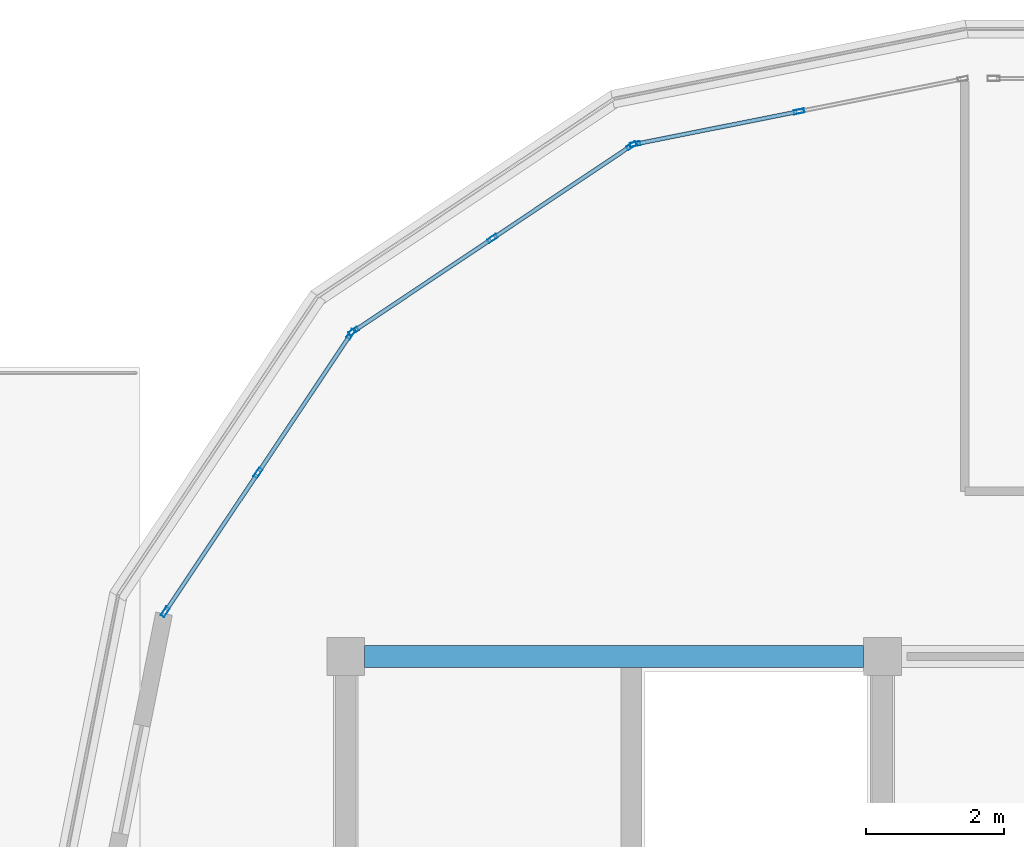
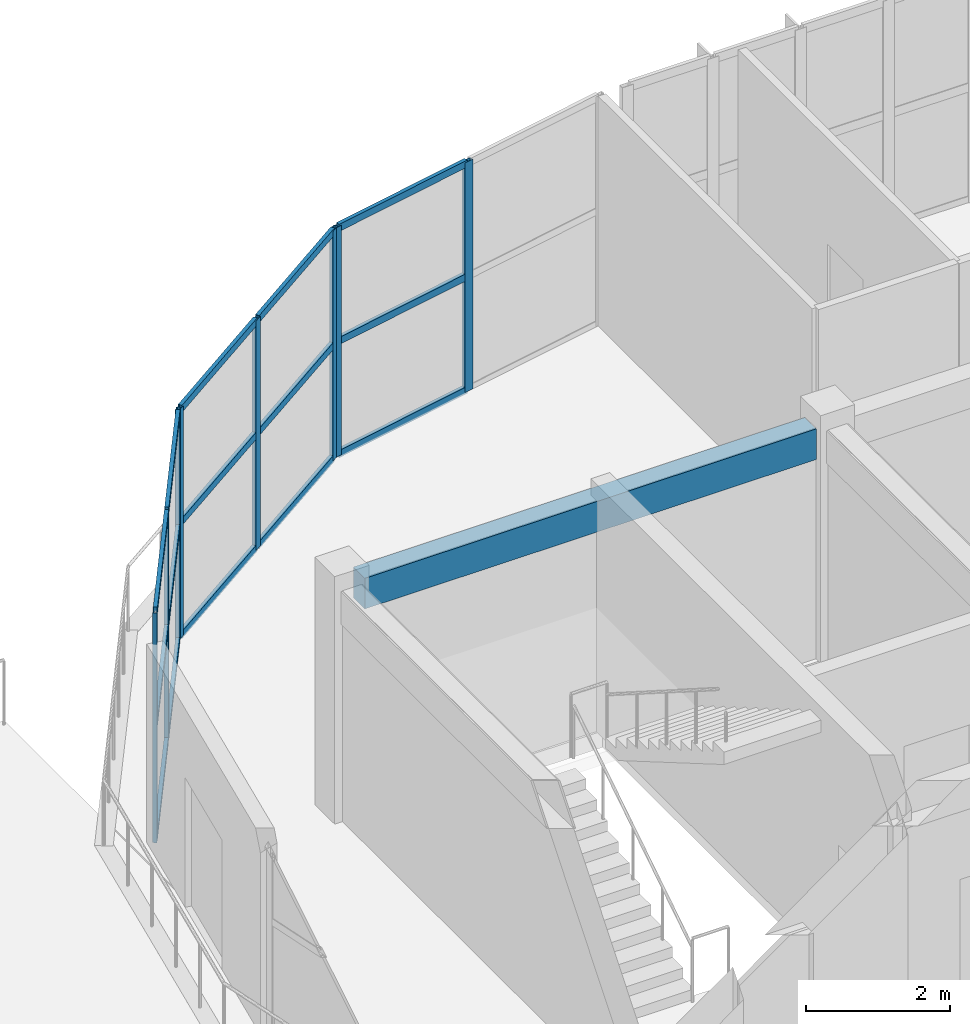
# One storey, part 7 of 33: 23 members, 1 beam, 3 elements without a shape of their own.
"""IFC4 building model written with IfcOpenShell, lengths in metres."""

import ifcopenshell
import ifcopenshell.guid

model = None  # the IFC model being written
_history = None  # IfcOwnerHistory: only IFC2X3 demands one
_inside = {}  # id of a spatial element -> (the spatial element, [elements in it])
_under = {}  # id of a project, library or spatial element -> (it, [spatial elements below it])
_declared = {}  # id of a project -> (the project, [libraries it declares])
_typed = {}  # id of a type object -> (the type object, [elements of that type])
_made_of = {}  # id of a material, layer set ... -> (it, [elements and type objects made of it])


def new_model(schema):
    """Start an empty IFC model of exactly this schema.

    Asked for "IFC4X3", IfcOpenShell would pick the latest addendum, in which some entities
    have other attributes; the version numbers below select the first issue.
    IFC2X3 requires an IfcOwnerHistory on every rooted entity: one is made here for all.
    """
    global model, _history
    if schema == "IFC4X3":
        model = ifcopenshell.file(schema_version=(4, 3, 0, 0))
    else:
        model = ifcopenshell.file(schema=schema)
    _inside.clear()
    _under.clear()
    _declared.clear()
    _typed.clear()
    _made_of.clear()
    _history = None
    if model.schema == "IFC2X3":
        org = make("IfcOrganization", Name="unknown")
        user = make(
            "IfcPersonAndOrganization",
            ThePerson=make("IfcPerson", FamilyName="unknown"),
            TheOrganization=org,
        )
        app = make(
            "IfcApplication",
            ApplicationDeveloper=org,
            Version="unknown",
            ApplicationFullName="unknown",
            ApplicationIdentifier="unknown",
        )
        _history = make(
            "IfcOwnerHistory",
            OwningUser=user,
            OwningApplication=app,
            ChangeAction="ADDED",
            CreationDate=0,
        )
    return model


def make(cls, **values):
    """One entity of the class cls with the attributes given. An attribute that is None is left unset."""
    return model.create_entity(
        cls, **{name: value for name, value in values.items() if value is not None}
    )


def rooted(cls, **values):
    """An entity with a GlobalId (a new one), such as an element, a storey or a relation."""
    return make(cls, GlobalId=ifcopenshell.guid.new(), OwnerHistory=_history, **values)


def si_unit(unit_type, name, prefix=None):
    """IfcSIUnit, for example si_unit("LENGTHUNIT", "METRE", prefix="MILLI")."""
    return make("IfcSIUnit", UnitType=unit_type, Prefix=prefix, Name=name)


def assignment(units):
    """IfcUnitAssignment: the units of a project."""
    return None if units is None else make("IfcUnitAssignment", Units=units)


def point(xyz):
    """IfcCartesianPoint."""
    return None if xyz is None else make("IfcCartesianPoint", Coordinates=xyz)


def direction(xyz):
    """IfcDirection."""
    return None if xyz is None else make("IfcDirection", DirectionRatios=xyz)


def frame(location, z_axis=None, x_axis=None):
    """IfcAxis2Placement3D, a coordinate frame: its origin and axes. An axis left out is left unset."""
    return make(
        "IfcAxis2Placement3D",
        Location=point(location),
        Axis=direction(z_axis),
        RefDirection=direction(x_axis),
    )


def frame_2d(location, x_axis=None):
    """IfcAxis2Placement2D, a coordinate frame in the plane: its origin and x axis."""
    return make(
        "IfcAxis2Placement2D", Location=point(location), RefDirection=direction(x_axis)
    )


def origin():
    """The frame at (0, 0, 0) with its axes left unset."""
    return frame((0.0, 0.0, 0.0))


def origin_2d():
    """The frame at (0, 0) in the plane with its x axis left unset."""
    return frame_2d((0.0, 0.0))


def place(relative_to, where):
    """IfcLocalPlacement: puts the frame where relative to a parent placement (None: the world)."""
    return make(
        "IfcLocalPlacement", PlacementRelTo=relative_to, RelativePlacement=where
    )


def context(
    kind, dimensions, precision=None, world=None, true_north=None, identifier=None
):
    """IfcGeometricRepresentationContext, for example the 3D "Model" context."""
    return make(
        "IfcGeometricRepresentationContext",
        ContextIdentifier=identifier,
        ContextType=kind,
        CoordinateSpaceDimension=dimensions,
        Precision=precision,
        WorldCoordinateSystem=world,
        TrueNorth=true_north,
    )


def subcontext(parent, identifier, kind, view, scale=None):
    """IfcGeometricRepresentationSubContext, for example "Body" below "Model"."""
    return make(
        "IfcGeometricRepresentationSubContext",
        ContextIdentifier=identifier,
        ContextType=kind,
        ParentContext=parent,
        TargetScale=scale,
        TargetView=view,
    )


def project(units=None, contexts=None):
    """IfcProject with its units and contexts."""
    return rooted(
        "IfcProject",
        Name="project",
        RepresentationContexts=contexts,
        UnitsInContext=assignment(units),
    )


def spatial(cls, under=None, at=None, **own):
    """A site, building, storey or space (cls), placed at a placement, below another one or the project."""
    s = rooted(cls, ObjectPlacement=at, **own)
    if under is not None:
        _under.setdefault(under.id(), (under, []))[1].append(s)
    return s


def profile(cls, at=None, kind="AREA", **sizes):
    """A parametric profile (cls). Its sizes go by their IFC names, for example OverallWidth=200.0."""
    return make(cls, ProfileType=kind, Position=at, **sizes)


def rectangle(**sizes):
    """IfcRectangleProfileDef."""
    return profile("IfcRectangleProfileDef", **sizes)


def hollow_rectangle(**sizes):
    """IfcRectangleHollowProfileDef."""
    return profile("IfcRectangleHollowProfileDef", **sizes)


def extrude(swept, where, along, depth):
    """IfcExtrudedAreaSolid: the profile swept, set in the frame where, extruded along a direction by depth."""
    return make(
        "IfcExtrudedAreaSolid",
        SweptArea=swept,
        Position=where,
        ExtrudedDirection=direction(along),
        Depth=depth,
    )


def shape(context_of_items, identifier, shape_type, items):
    """IfcShapeRepresentation: the items that make up one representation, for example the "Body"."""
    return make(
        "IfcShapeRepresentation",
        ContextOfItems=context_of_items,
        RepresentationIdentifier=identifier,
        RepresentationType=shape_type,
        Items=items,
    )


def material(Name=None, Category=None):
    """IfcMaterial."""
    return make("IfcMaterial", Name=Name, Category=Category)


def layer(
    of_material, thickness, ventilated=None, Name=None, Category=None, Priority=None
):
    """IfcMaterialLayer: one layer of a wall or slab, of a material (None: an air gap)."""
    return make(
        "IfcMaterialLayer",
        Material=of_material,
        LayerThickness=thickness,
        IsVentilated=ventilated,
        Name=Name,
        Category=Category,
        Priority=Priority,
    )


def layer_set(layers, Name=None):
    """IfcMaterialLayerSet."""
    return make("IfcMaterialLayerSet", MaterialLayers=layers, LayerSetName=Name)


def material_profile(
    of_material, cross_section, Name=None, Category=None, Priority=None
):
    """IfcMaterialProfile: a cross section and its material."""
    return make(
        "IfcMaterialProfile",
        Name=Name,
        Material=of_material,
        Profile=cross_section,
        Priority=Priority,
        Category=Category,
    )


def profile_set(profiles, Name=None, composite=None):
    """IfcMaterialProfileSet."""
    return make(
        "IfcMaterialProfileSet",
        Name=Name,
        MaterialProfiles=profiles,
        CompositeProfile=composite,
    )


def made_of(thing, what):
    """Note that an element or type object is made of a material, layer set ...; save() writes the relation."""
    if what is not None:
        _made_of.setdefault(what.id(), (what, []))[1].append(thing)
    return thing


def type_object(cls, material=None, **own):
    """A type object (cls), such as IfcWallType, which elements share."""
    return made_of(rooted(cls, **own), material)


def element(
    cls,
    number,
    at=None,
    inside=None,
    cuts=None,
    type_object=None,
    material=None,
    context=None,
    identifier="Body",
    shape_type=None,
    held_by="IfcProductDefinitionShape",
    body=None,
    shapes=None,
    **own,
):
    """One element of the class cls, such as IfcWall. Its Tag is "e" and its number.

    at: its placement. inside: the storey or other place that contains it. cuts: it is an
    opening in that element (IfcRelVoidsElement). A single representation is given by context,
    identifier, shape_type and body (its items); several are given by shapes. held_by: the class
    of the entity that holds the representations. save() writes the other relations.
    """
    e = rooted(cls, Tag="e%d" % number, ObjectPlacement=at, **own)
    if body is not None:
        shapes = [shape(context, identifier, shape_type, body)]
    if shapes is not None:
        e.Representation = make(held_by, Representations=shapes)
    if inside is not None:
        _inside.setdefault(inside.id(), (inside, []))[1].append(e)
    if cuts is not None:
        rooted(
            "IfcRelVoidsElement", RelatingBuildingElement=cuts, RelatedOpeningElement=e
        )
    if type_object is not None:
        _typed.setdefault(type_object.id(), (type_object, []))[1].append(e)
    return made_of(e, material)


def aggregate(whole, parts):
    """IfcRelAggregates: a whole, such as a stair, and the parts it consists of."""
    return rooted("IfcRelAggregates", RelatingObject=whole, RelatedObjects=parts)


def save(model, path):
    """Write the relations noted so far, then the file.

    IfcRelAggregates (storeys below a building ...), IfcRelContainedInSpatialStructure (elements
    in a storey), IfcRelDefinesByType, IfcRelAssociatesMaterial and IfcRelDeclares: one each for
    every whole, place, type object, material and project.
    """
    for whole, parts in _under.values():
        aggregate(whole, parts)
    for where, things in _inside.values():
        rooted(
            "IfcRelContainedInSpatialStructure",
            RelatedElements=things,
            RelatingStructure=where,
        )
    for kind, things in _typed.values():
        rooted("IfcRelDefinesByType", RelatedObjects=things, RelatingType=kind)
    for what, things in _made_of.values():
        rooted("IfcRelAssociatesMaterial", RelatedObjects=things, RelatingMaterial=what)
    for by, libraries in _declared.values():
        rooted("IfcRelDeclares", RelatingContext=by, RelatedDefinitions=libraries)
    model.write(path)


model = new_model("IFC4")

# Units and contexts
model_context = context("Model", 3, precision=1e-05, world=origin(), true_north=direction((0.0, 1.0)))
body_context = subcontext(model_context, "Body", "Model", "MODEL_VIEW")
ifc_project = project(units=[si_unit("LENGTHUNIT", "METRE"), si_unit("AREAUNIT", "SQUARE_METRE"), si_unit("VOLUMEUNIT", "CUBIC_METRE"), si_unit("PLANEANGLEUNIT", "RADIAN"), si_unit("MASSUNIT", "GRAM", prefix="KILO")], contexts=[model_context])

# Site, building, storey
site_placement = place(None, origin())
site = spatial("IfcSite", under=ifc_project, at=site_placement, CompositionType="ELEMENT")
building_placement = place(site_placement, origin())
building = spatial("IfcBuilding", under=site, at=building_placement, Name="Zizhar Promenade General Hospital", CompositionType="ELEMENT")
storey_placement = place(building_placement, frame((0.0, 0.0, 39.0)))
storey = spatial("IfcBuildingStorey", under=building, at=storey_placement, Name="L09", CompositionType="ELEMENT", Elevation=39.0)

# Beam
ifc_material_1 = material(Name="Concrete C35/45", Category="concrete")
ifc_material_profile_1 = material_profile(ifc_material_1, rectangle(XDim=0.320068359375, YDim=0.52001953125, at=origin_2d()))
ifc_profile_set_1 = profile_set([ifc_material_profile_1], Name="Concrete C35/45")
beam_type = type_object("IfcBeamType", Name="BM-RC-320x520", PredefinedType="LINTEL", material=ifc_profile_set_1)
beam_placement = place(storey_placement, frame((47.074951171875, 16.800048828125, 3.64990234375), z_axis=(1.0, 0.0, 0.0), x_axis=(0.0, 1.0, 0.0)))
element("IfcBeam", 1, at=beam_placement, inside=storey, type_object=beam_type, Name="Grid Beam X L09 (6-2)", PredefinedType="LINTEL", context=body_context, shape_type="SweptSolid", body=[
    extrude(rectangle(XDim=0.320068359375, YDim=0.52001953125, at=origin_2d()), origin(), (0.0, 0.0, 1.0), 7.25),
])

# Curtain wall, members
ifc_material_2 = material(Name="Anodised aluminium 6063-T6 and low-E glass", Category="aluminium")
ifc_layer = layer(ifc_material_2, 0.159912109375)
ifc_layer_set = layer_set([ifc_layer], Name="Anodised aluminium 6063-T6 and low-E glass")
curtain_wall_type = type_object("IfcCurtainWallType", Name="CW-WARD-ARC", PredefinedType="NOTDEFINED", material=ifc_layer_set)
curtain_wall_1_placement = place(storey_placement, origin())
curtain_wall_1 = element("IfcCurtainWall", 2, at=curtain_wall_1_placement, inside=storey, type_object=curtain_wall_type, Name="Ward Semicircular End Glazing L09-10", PredefinedType="NOTDEFINED")
ifc_material_3 = material(Name="Anodised aluminium 6063-T6", Category="aluminium")
ifc_material_profile_2 = material_profile(ifc_material_3, hollow_rectangle(XDim=0.06005859375, YDim=0.14990234375, WallThickness=0.00390625, at=origin_2d()))
ifc_profile_set_2 = profile_set([ifc_material_profile_2], Name="Anodised aluminium 6063-T6")
member_type_1 = type_object("IfcMemberType", Name="CWM-ALU-150x60", PredefinedType="MULLION", material=ifc_profile_set_2)
member_1_placement = place(storey_placement, frame((51.007568359375, 24.246826171875, 0.0), z_axis=(0.0, 0.0, 1.0), x_axis=(-0.195087259275, 0.980785889615, 0.0)))
member_1 = element("IfcMember", 3, at=member_1_placement, type_object=member_type_1, Name="CW-12 mullion 1", PredefinedType="MULLION", context=body_context, shape_type="SweptSolid", body=[
    extrude(hollow_rectangle(XDim=0.06005859375, YDim=0.14990234375, WallThickness=0.00390625, at=origin_2d()), origin(), (0.0, 0.0, 1.0), 3.89990234375),
])
member_2_placement = place(storey_placement, frame((53.38916015625, 24.720458984375, 0.0), z_axis=(0.0, 0.0, 1.0), x_axis=(-0.195087259275, 0.980785889615, 0.0)))
member_2 = element("IfcMember", 4, at=member_2_placement, type_object=member_type_1, Name="CW-12 mullion 2", PredefinedType="MULLION", context=body_context, shape_type="SweptSolid", body=[
    extrude(hollow_rectangle(XDim=0.06005859375, YDim=0.14990234375, WallThickness=0.00390625, at=origin_2d()), origin(), (0.0, 0.0, 1.0), 3.89990234375),
])

curtain_wall_2_placement = place(storey_placement, origin())
curtain_wall_2 = element("IfcCurtainWall", 5, at=curtain_wall_2_placement, inside=storey, type_object=curtain_wall_type, Name="Ward Semicircular End Glazing L09-11", PredefinedType="NOTDEFINED")
member_3_placement = place(storey_placement, frame((46.91552734375, 21.526123046875, 0.0), z_axis=(0.0, 0.0, 1.0), x_axis=(-0.555582352095, 0.831461514468, 0.0)))
member_3 = element("IfcMember", 6, at=member_3_placement, type_object=member_type_1, Name="CW-12 mullion 1", PredefinedType="MULLION", context=body_context, shape_type="SweptSolid", body=[
    extrude(hollow_rectangle(XDim=0.06005859375, YDim=0.14990234375, WallThickness=0.00390625, at=origin_2d()), origin(), (0.0, 0.0, 1.0), 3.89990234375),
])
member_4_placement = place(storey_placement, frame((48.934326171875, 22.875244140625, 0.0), z_axis=(0.0, 0.0, 1.0), x_axis=(-0.555582352095, 0.831461514468, 0.0)))
member_4 = element("IfcMember", 7, at=member_4_placement, type_object=member_type_1, Name="CW-12 mullion 2", PredefinedType="MULLION", context=body_context, shape_type="SweptSolid", body=[
    extrude(hollow_rectangle(XDim=0.06005859375, YDim=0.14990234375, WallThickness=0.00390625, at=origin_2d()), origin(), (0.0, 0.0, 1.0), 3.89990234375),
])
member_5_placement = place(storey_placement, frame((50.953369140625, 24.22412109375, 0.0), z_axis=(0.0, 0.0, 1.0), x_axis=(-0.555582352095, 0.831461514468, 0.0)))
member_5 = element("IfcMember", 8, at=member_5_placement, type_object=member_type_1, Name="CW-12 mullion 3", PredefinedType="MULLION", context=body_context, shape_type="SweptSolid", body=[
    extrude(hollow_rectangle(XDim=0.06005859375, YDim=0.14990234375, WallThickness=0.00390625, at=origin_2d()), origin(), (0.0, 0.0, 1.0), 3.89990234375),
])

curtain_wall_3_placement = place(storey_placement, origin())
curtain_wall_3 = element("IfcCurtainWall", 9, at=curtain_wall_3_placement, inside=storey, type_object=curtain_wall_type, Name="Ward Semicircular End Glazing L09-12", PredefinedType="NOTDEFINED")
member_6_placement = place(storey_placement, frame((44.17578125, 17.44677734375, 0.0), z_axis=(0.0, 0.0, 1.0), x_axis=(-0.831461514468, 0.555582352095, 0.0)))
member_6 = element("IfcMember", 10, at=member_6_placement, type_object=member_type_1, Name="CW-12 mullion 1", PredefinedType="MULLION", context=body_context, shape_type="SweptSolid", body=[
    extrude(hollow_rectangle(XDim=0.06005859375, YDim=0.14990234375, WallThickness=0.00390625, at=origin_2d()), origin(), (0.0, 0.0, 1.0), 3.89990234375),
])
member_7_placement = place(storey_placement, frame((45.52490234375, 19.465576171875, 0.0), z_axis=(0.0, 0.0, 1.0), x_axis=(-0.831461514468, 0.555582352095, 0.0)))
member_7 = element("IfcMember", 11, at=member_7_placement, type_object=member_type_1, Name="CW-12 mullion 2", PredefinedType="MULLION", context=body_context, shape_type="SweptSolid", body=[
    extrude(hollow_rectangle(XDim=0.06005859375, YDim=0.14990234375, WallThickness=0.00390625, at=origin_2d()), origin(), (0.0, 0.0, 1.0), 3.89990234375),
])
member_8_placement = place(storey_placement, frame((46.873779296875, 21.484619140625, 0.0), z_axis=(0.0, 0.0, 1.0), x_axis=(-0.831461514468, 0.555582352095, 0.0)))
member_8 = element("IfcMember", 12, at=member_8_placement, type_object=member_type_1, Name="CW-12 mullion 3", PredefinedType="MULLION", context=body_context, shape_type="SweptSolid", body=[
    extrude(hollow_rectangle(XDim=0.06005859375, YDim=0.14990234375, WallThickness=0.00390625, at=origin_2d()), origin(), (0.0, 0.0, 1.0), 3.89990234375),
])

# Member
ifc_material_4 = material(Name="Anodised aluminium 6063-T6", Category="aluminium")
ifc_material_profile_3 = material_profile(ifc_material_4, hollow_rectangle(XDim=0.06005859375, YDim=0.1201171875, WallThickness=0.00390625, at=origin_2d()))
ifc_profile_set_3 = profile_set([ifc_material_profile_3], Name="Anodised aluminium 6063-T6")
member_type_2 = type_object("IfcMemberType", Name="CWT-ALU-120x60", PredefinedType="USERDEFINED", material=ifc_profile_set_3)
member_9_placement = place(storey_placement, frame((51.037109375, 24.252685546875, 0.030029296875), z_axis=(0.980790278018, 0.195065195628, 0.0), x_axis=(-0.195065195628, 0.980790278018, 0.0)))
member_9 = element("IfcMember", 13, at=member_9_placement, type_object=member_type_2, Name="CW-12 transom 1.1", ObjectType="TRANSOM", PredefinedType="USERDEFINED", context=body_context, shape_type="SweptSolid", body=[
    extrude(hollow_rectangle(XDim=0.06005859375, YDim=0.1201171875, WallThickness=0.00390625, at=origin_2d()), origin(), (0.0, 0.0, 1.0), 2.367919921875),
])

member_10_placement = place(storey_placement, frame((51.037109375, 24.252685546875, 1.949951171875), z_axis=(0.980790278018, 0.195065195628, 0.0), x_axis=(-0.195065195628, 0.980790278018, 0.0)))
member_10 = element("IfcMember", 14, at=member_10_placement, type_object=member_type_2, Name="CW-12 transom 1.2", ObjectType="TRANSOM", PredefinedType="USERDEFINED", context=body_context, shape_type="SweptSolid", body=[
    extrude(hollow_rectangle(XDim=0.06005859375, YDim=0.1201171875, WallThickness=0.00390625, at=origin_2d()), origin(), (0.0, 0.0, 1.0), 2.367919921875),
])

member_11_placement = place(storey_placement, frame((51.037109375, 24.252685546875, 3.8701171875), z_axis=(0.980790278018, 0.195065195628, 0.0), x_axis=(-0.195065195628, 0.980790278018, 0.0)))
member_11 = element("IfcMember", 15, at=member_11_placement, type_object=member_type_2, Name="CW-12 transom 1.3", ObjectType="TRANSOM", PredefinedType="USERDEFINED", context=body_context, shape_type="SweptSolid", body=[
    extrude(hollow_rectangle(XDim=0.06005859375, YDim=0.1201171875, WallThickness=0.00390625, at=origin_2d()), origin(), (0.0, 0.0, 1.0), 2.367919921875),
])

aggregate(curtain_wall_1, [member_1, member_2, member_9, member_10, member_11])

member_12_placement = place(storey_placement, frame((46.9404296875, 21.542724609375, 0.030029296875), z_axis=(0.831415354375, 0.555651427164, 0.0), x_axis=(-0.555651427164, 0.831415354375, 0.0)))
member_12 = element("IfcMember", 16, at=member_12_placement, type_object=member_type_2, Name="CW-12 transom 1.1", ObjectType="TRANSOM", PredefinedType="USERDEFINED", context=body_context, shape_type="SweptSolid", body=[
    extrude(hollow_rectangle(XDim=0.06005859375, YDim=0.1201171875, WallThickness=0.00390625, at=origin_2d()), origin(), (0.0, 0.0, 1.0), 2.3681640625),
])

member_13_placement = place(storey_placement, frame((46.9404296875, 21.542724609375, 1.949951171875), z_axis=(0.831415354375, 0.555651427164, 0.0), x_axis=(-0.555651427164, 0.831415354375, 0.0)))
member_13 = element("IfcMember", 17, at=member_13_placement, type_object=member_type_2, Name="CW-12 transom 1.2", ObjectType="TRANSOM", PredefinedType="USERDEFINED", context=body_context, shape_type="SweptSolid", body=[
    extrude(hollow_rectangle(XDim=0.06005859375, YDim=0.1201171875, WallThickness=0.00390625, at=origin_2d()), origin(), (0.0, 0.0, 1.0), 2.3681640625),
])

member_14_placement = place(storey_placement, frame((46.9404296875, 21.542724609375, 3.8701171875), z_axis=(0.831415354375, 0.555651427164, 0.0), x_axis=(-0.555651427164, 0.831415354375, 0.0)))
member_14 = element("IfcMember", 18, at=member_14_placement, type_object=member_type_2, Name="CW-12 transom 1.3", ObjectType="TRANSOM", PredefinedType="USERDEFINED", context=body_context, shape_type="SweptSolid", body=[
    extrude(hollow_rectangle(XDim=0.06005859375, YDim=0.1201171875, WallThickness=0.00390625, at=origin_2d()), origin(), (0.0, 0.0, 1.0), 2.3681640625),
])

member_15_placement = place(storey_placement, frame((48.959228515625, 22.891845703125, 0.030029296875), z_axis=(0.831462978956, 0.555580160396, 0.0), x_axis=(-0.555580160396, 0.831462978956, 0.0)))
member_15 = element("IfcMember", 19, at=member_15_placement, type_object=member_type_2, Name="CW-12 transom 2.1", ObjectType="TRANSOM", PredefinedType="USERDEFINED", context=body_context, shape_type="SweptSolid", body=[
    extrude(hollow_rectangle(XDim=0.06005859375, YDim=0.1201171875, WallThickness=0.00390625, at=origin_2d()), origin(), (0.0, 0.0, 1.0), 2.3681640625),
])

member_16_placement = place(storey_placement, frame((48.959228515625, 22.891845703125, 1.949951171875), z_axis=(0.831462978956, 0.555580160396, 0.0), x_axis=(-0.555580160396, 0.831462978956, 0.0)))
member_16 = element("IfcMember", 20, at=member_16_placement, type_object=member_type_2, Name="CW-12 transom 2.2", ObjectType="TRANSOM", PredefinedType="USERDEFINED", context=body_context, shape_type="SweptSolid", body=[
    extrude(hollow_rectangle(XDim=0.06005859375, YDim=0.1201171875, WallThickness=0.00390625, at=origin_2d()), origin(), (0.0, 0.0, 1.0), 2.3681640625),
])

member_17_placement = place(storey_placement, frame((48.959228515625, 22.891845703125, 3.8701171875), z_axis=(0.831462978956, 0.555580160396, 0.0), x_axis=(-0.555580160396, 0.831462978956, 0.0)))
member_17 = element("IfcMember", 21, at=member_17_placement, type_object=member_type_2, Name="CW-12 transom 2.3", ObjectType="TRANSOM", PredefinedType="USERDEFINED", context=body_context, shape_type="SweptSolid", body=[
    extrude(hollow_rectangle(XDim=0.06005859375, YDim=0.1201171875, WallThickness=0.00390625, at=origin_2d()), origin(), (0.0, 0.0, 1.0), 2.3681640625),
])

aggregate(curtain_wall_2, [member_3, member_4, member_5, member_12, member_13, member_14, member_15, member_16, member_17])

member_18_placement = place(storey_placement, frame((44.1923828125, 17.4716796875, 0.030029296875), z_axis=(0.555580160396, 0.831462978956, 0.0), x_axis=(-0.831462978956, 0.555580160396, 0.0)))
member_18 = element("IfcMember", 22, at=member_18_placement, type_object=member_type_2, Name="CW-12 transom 1.1", ObjectType="TRANSOM", PredefinedType="USERDEFINED", context=body_context, shape_type="SweptSolid", body=[
    extrude(hollow_rectangle(XDim=0.06005859375, YDim=0.1201171875, WallThickness=0.00390625, at=origin_2d()), origin(), (0.0, 0.0, 1.0), 2.3681640625),
])

member_19_placement = place(storey_placement, frame((44.1923828125, 17.4716796875, 1.949951171875), z_axis=(0.555580160396, 0.831462978956, 0.0), x_axis=(-0.831462978956, 0.555580160396, 0.0)))
member_19 = element("IfcMember", 23, at=member_19_placement, type_object=member_type_2, Name="CW-12 transom 1.2", ObjectType="TRANSOM", PredefinedType="USERDEFINED", context=body_context, shape_type="SweptSolid", body=[
    extrude(hollow_rectangle(XDim=0.06005859375, YDim=0.1201171875, WallThickness=0.00390625, at=origin_2d()), origin(), (0.0, 0.0, 1.0), 2.3681640625),
])

member_20_placement = place(storey_placement, frame((44.1923828125, 17.4716796875, 3.8701171875), z_axis=(0.555580160396, 0.831462978956, 0.0), x_axis=(-0.831462978956, 0.555580160396, 0.0)))
member_20 = element("IfcMember", 24, at=member_20_placement, type_object=member_type_2, Name="CW-12 transom 1.3", ObjectType="TRANSOM", PredefinedType="USERDEFINED", context=body_context, shape_type="SweptSolid", body=[
    extrude(hollow_rectangle(XDim=0.06005859375, YDim=0.1201171875, WallThickness=0.00390625, at=origin_2d()), origin(), (0.0, 0.0, 1.0), 2.3681640625),
])

member_21_placement = place(storey_placement, frame((45.54150390625, 19.490478515625, 0.030029296875), z_axis=(0.555532539312, 0.831494797197, 0.0), x_axis=(-0.831494797197, 0.555532539312, 0.0)))
member_21 = element("IfcMember", 25, at=member_21_placement, type_object=member_type_2, Name="CW-12 transom 2.1", ObjectType="TRANSOM", PredefinedType="USERDEFINED", context=body_context, shape_type="SweptSolid", body=[
    extrude(hollow_rectangle(XDim=0.06005859375, YDim=0.1201171875, WallThickness=0.00390625, at=origin_2d()), origin(), (0.0, 0.0, 1.0), 2.368408203125),
])

member_22_placement = place(storey_placement, frame((45.54150390625, 19.490478515625, 1.949951171875), z_axis=(0.555532539312, 0.831494797197, 0.0), x_axis=(-0.831494797197, 0.555532539312, 0.0)))
member_22 = element("IfcMember", 26, at=member_22_placement, type_object=member_type_2, Name="CW-12 transom 2.2", ObjectType="TRANSOM", PredefinedType="USERDEFINED", context=body_context, shape_type="SweptSolid", body=[
    extrude(hollow_rectangle(XDim=0.06005859375, YDim=0.1201171875, WallThickness=0.00390625, at=origin_2d()), origin(), (0.0, 0.0, 1.0), 2.368408203125),
])

member_23_placement = place(storey_placement, frame((45.54150390625, 19.490478515625, 3.8701171875), z_axis=(0.555532539312, 0.831494797197, 0.0), x_axis=(-0.831494797197, 0.555532539312, 0.0)))
member_23 = element("IfcMember", 27, at=member_23_placement, type_object=member_type_2, Name="CW-12 transom 2.3", ObjectType="TRANSOM", PredefinedType="USERDEFINED", context=body_context, shape_type="SweptSolid", body=[
    extrude(hollow_rectangle(XDim=0.06005859375, YDim=0.1201171875, WallThickness=0.00390625, at=origin_2d()), origin(), (0.0, 0.0, 1.0), 2.368408203125),
])

aggregate(curtain_wall_3, [member_6, member_7, member_8, member_18, member_19, member_20, member_21, member_22, member_23])

save(model, "model.ifc")
